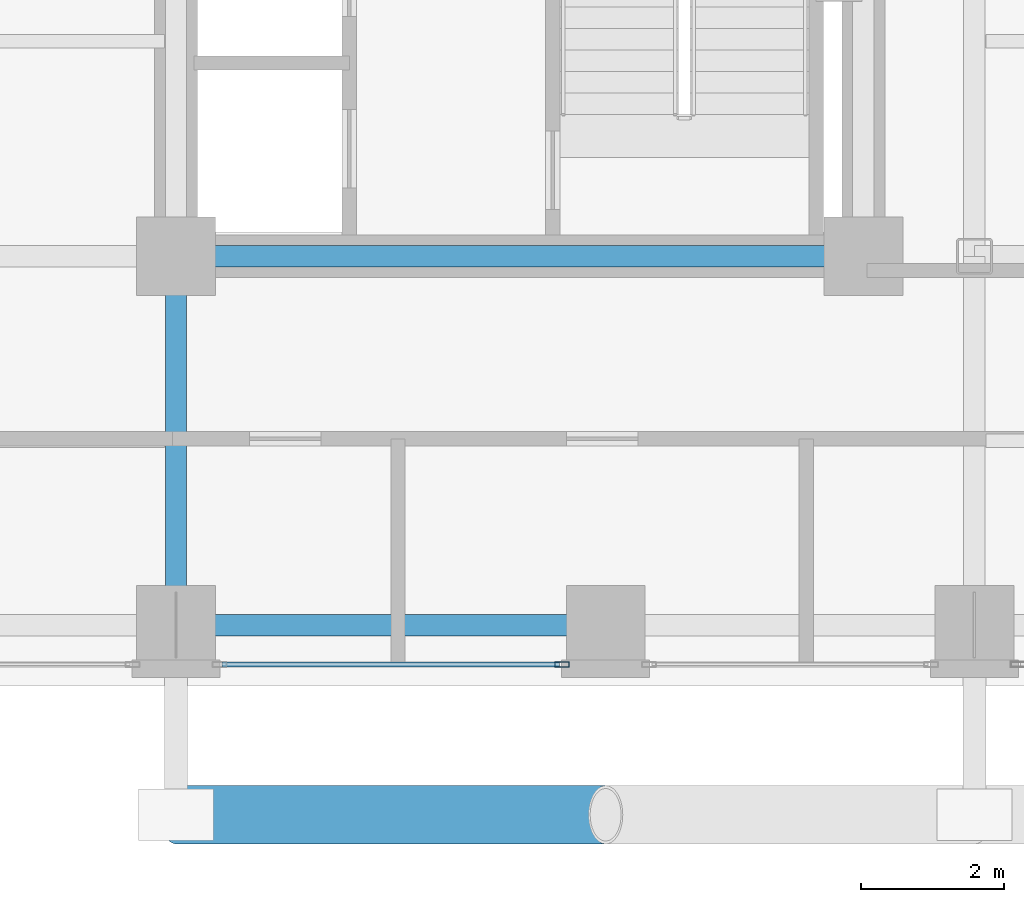
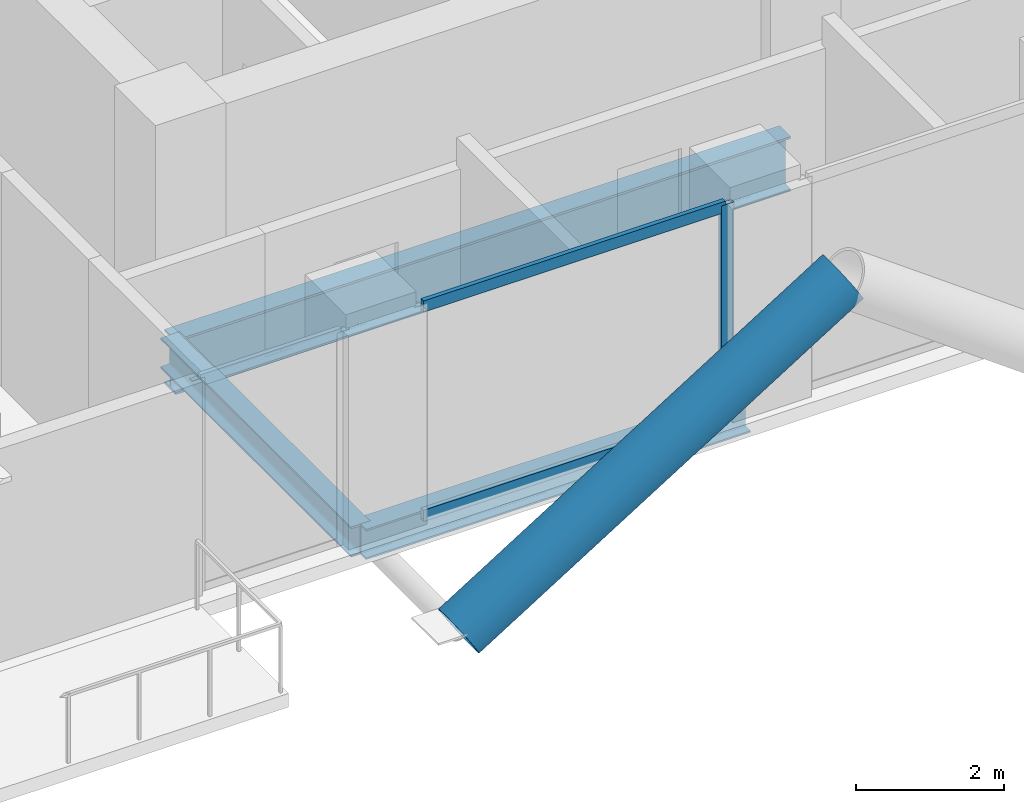
# One storey, part 4 of 24: 4 members, 3 beams, 1 element without a shape of its own.
"""IFC4 building model written with IfcOpenShell, lengths in metres."""

from ifc_helpers import new_model, si_unit, direction, frame, origin, origin_2d, place, context, subcontext, project, spatial, hollow_rectangle, hollow_circle, i_section, extrude, material, layer, layer_set, material_profile, profile_set, type_object, element, aggregate, save


model = new_model("IFC4")

# Units and contexts
model_context = context("Model", 3, precision=1e-05, world=origin(), true_north=direction((0.0, 1.0)))
body_context = subcontext(model_context, "Body", "Model", "MODEL_VIEW")
ifc_project = project(units=[si_unit("LENGTHUNIT", "METRE"), si_unit("AREAUNIT", "SQUARE_METRE"), si_unit("VOLUMEUNIT", "CUBIC_METRE"), si_unit("PLANEANGLEUNIT", "RADIAN"), si_unit("MASSUNIT", "GRAM", prefix="KILO"), si_unit("THERMODYNAMICTEMPERATUREUNIT", "KELVIN"), si_unit("POWERUNIT", "WATT")], contexts=[model_context])

# Site, building, storey
site_placement = place(None, origin())
site = spatial("IfcSite", under=ifc_project, at=site_placement, CompositionType="ELEMENT")
building_placement = place(site_placement, origin())
building = spatial("IfcBuilding", under=site, at=building_placement, Name="Svarakhadi Broadcast Tower", CompositionType="ELEMENT")
storey_placement = place(building_placement, frame((0.0, 0.0, 115.64990234375)))
storey = spatial("IfcBuildingStorey", under=building, at=storey_placement, Name="L27", CompositionType="ELEMENT", Elevation=115.64990234375)

# Curtain wall, members
ifc_material_1 = material(Name="Anodised Bronze Aluminium AA 6063-T6", Category="aluminium")
ifc_layer = layer(ifc_material_1, 0.199951171875)
ifc_layer_set = layer_set([ifc_layer], Name="Anodised Bronze Aluminium AA 6063-T6")
curtain_wall_type = type_object("IfcCurtainWallType", Name="CW_Sys_03", PredefinedType="NOTDEFINED", material=ifc_layer_set)
curtain_wall_placement = place(storey_placement, origin())
curtain_wall = element("IfcCurtainWall", 1, at=curtain_wall_placement, inside=storey, type_object=curtain_wall_type, Name="L27 South Curtain Wall 16 Bay 3", PredefinedType="NOTDEFINED")
ifc_material_profile_1 = material_profile(ifc_material_1, hollow_rectangle(XDim=0.074951171875, YDim=0.199951171875, WallThickness=0.005615234375, at=origin_2d()), Name="ALU MULLION 200x75x6")
ifc_profile_set_1 = profile_set([ifc_material_profile_1], Name="Anodised Bronze Aluminium AA 6063-T6")
member_type_1 = type_object("IfcMemberType", Name="CW_Sys_03_Mul", PredefinedType="MULLION", material=ifc_profile_set_1)
member_1_placement = place(storey_placement, frame((29.392578125, 0.300048828125, 0.0), z_axis=(0.0, 0.0, 1.0), x_axis=(0.0, -1.0, 0.0)))
member_1 = element("IfcMember", 2, at=member_1_placement, type_object=member_type_1, Name="CW-03 mullion 1", PredefinedType="MULLION", context=body_context, shape_type="SweptSolid", body=[
    extrude(hollow_rectangle(XDim=0.074951171875, YDim=0.199951171875, WallThickness=0.005615234375, at=origin_2d()), origin(), (0.0, 0.0, 1.0), 3.525146484375),
])
ifc_material_profile_2 = material_profile(ifc_material_1, hollow_rectangle(XDim=0.070068359375, YDim=0.18505859375, WallThickness=0.0048828125, at=origin_2d()), Name="ALU TRANSOM 185x70x5")
ifc_profile_set_2 = profile_set([ifc_material_profile_2], Name="Anodised Bronze Aluminium AA 6063-T6")
member_type_2 = type_object("IfcMemberType", Name="CW_Sys_03_Trn", PredefinedType="USERDEFINED", material=ifc_profile_set_2)
member_2_placement = place(storey_placement, frame((29.35498046875, 0.300048828125, 0.03515625), z_axis=(-1.0, 0.0, 0.0), x_axis=(0.0, -1.0, 0.0)))
member_2 = element("IfcMember", 3, at=member_2_placement, type_object=member_type_2, Name="CW-03 transom 1.1", ObjectType="TRANSOM", PredefinedType="USERDEFINED", context=body_context, shape_type="SweptSolid", body=[
    extrude(hollow_rectangle(XDim=0.070068359375, YDim=0.18505859375, WallThickness=0.0048828125, at=origin_2d()), origin(), (0.0, 0.0, 1.0), 4.7099609375),
])
member_3_placement = place(storey_placement, frame((29.35498046875, 0.300048828125, 3.489990234375), z_axis=(-1.0, 0.0, 0.0), x_axis=(0.0, -1.0, 0.0)))
member_3 = element("IfcMember", 4, at=member_3_placement, type_object=member_type_2, Name="CW-03 transom 1.2", ObjectType="TRANSOM", PredefinedType="USERDEFINED", context=body_context, shape_type="SweptSolid", body=[
    extrude(hollow_rectangle(XDim=0.070068359375, YDim=0.18505859375, WallThickness=0.0048828125, at=origin_2d()), origin(), (0.0, 0.0, 1.0), 4.7099609375),
])
aggregate(curtain_wall, [member_1, member_2, member_3])

# Member
ifc_material_2 = material(Name="Steel S460ML (IS 2062 E450BR)", Category="steel")
ifc_material_profile_3 = material_profile(ifc_material_2, hollow_circle(Radius=0.406494140625, WallThickness=0.0400390625, at=origin_2d()), Name="CHS 813x40")
ifc_profile_set_3 = profile_set([ifc_material_profile_3], Name="Steel S460ML (IS 2062 E450BR)")
member_type_3 = type_object("IfcMemberType", Name="Exo_Brace_CHS813", PredefinedType="BRACE", material=ifc_profile_set_3)
member_4_placement = place(storey_placement, frame((24.0, -1.800048828125, -0.386962890625), z_axis=(0.847998304005, 0.0, 0.529998940003), x_axis=(0.0, 1.0, 0.0)))
element("IfcMember", 5, at=member_4_placement, inside=storey, type_object=member_type_3, Name="L27 Exposed Bronze Exoskeleton Diagonal S01", PredefinedType="BRACE", context=body_context, shape_type="SweptSolid", body=[
    extrude(hollow_circle(Radius=0.406494140625, WallThickness=0.0400390625, at=origin_2d()), origin(), (0.0, 0.0, 1.0), 7.075439453125),
])

# Beams
ifc_material_3 = material(Name="Steel S355J2 (IS 2062 E350C)", Category="steel")
ifc_material_profile_4 = material_profile(ifc_material_3, i_section(OverallWidth=0.300048828125, OverallDepth=0.5, WebThickness=0.014404296875, FlangeThickness=0.028076171875, FilletRadius=0.027099609375, at=origin_2d()), Name="WPB 500x300x187")
ifc_profile_set_4 = profile_set([ifc_material_profile_4], Name="Steel S355J2 (IS 2062 E350C)")
beam_type_1 = type_object("IfcBeamType", Name="Girder_WPB500", PredefinedType="USERDEFINED", material=ifc_profile_set_4)
beam_1_placement = place(storey_placement, frame((24.0, 0.85009765625, -0.474853515625), z_axis=(1.0, 0.0, 0.0), x_axis=(0.0, 1.0, 0.0)))
element("IfcBeam", 6, at=beam_1_placement, inside=storey, type_object=beam_type_1, Name="L27 Primary E-W Girder G007", ObjectType="GIRDER", PredefinedType="USERDEFINED", context=body_context, shape_type="SweptSolid", body=[
    extrude(i_section(OverallWidth=0.300048828125, OverallDepth=0.5, WebThickness=0.014404296875, FlangeThickness=0.028076171875, FilletRadius=0.027099609375, at=origin_2d()), origin(), (0.0, 0.0, 1.0), 6.0),
])
beam_2_placement = place(storey_placement, frame((24.0, 0.85009765625, -0.474853515625), z_axis=(0.0, 1.0, 0.0), x_axis=(-1.0, 0.0, 0.0)))
element("IfcBeam", 7, at=beam_2_placement, inside=storey, type_object=beam_type_1, Name="L27 Primary N-S Girder G062", ObjectType="GIRDER", PredefinedType="USERDEFINED", context=body_context, shape_type="SweptSolid", body=[
    extrude(i_section(OverallWidth=0.300048828125, OverallDepth=0.5, WebThickness=0.014404296875, FlangeThickness=0.028076171875, FilletRadius=0.027099609375, at=origin_2d()), origin(), (0.0, 0.0, 1.0), 5.14990234375),
])
ifc_material_profile_5 = material_profile(ifc_material_2, i_section(OverallWidth=0.300048828125, OverallDepth=0.89990234375, WebThickness=0.0185546875, FlangeThickness=0.034912109375, FilletRadius=0.030029296875, at=origin_2d()), Name="WPB 900x300x291")
ifc_profile_set_5 = profile_set([ifc_material_profile_5], Name="Steel S460ML (IS 2062 E450BR)")
beam_type_2 = type_object("IfcBeamType", Name="Girder_WPB900", PredefinedType="USERDEFINED", material=ifc_profile_set_5)
beam_3_placement = place(storey_placement, frame((24.0, 6.0, -0.6748046875), z_axis=(1.0, 0.0, 0.0), x_axis=(0.0, 1.0, 0.0)))
element("IfcBeam", 8, at=beam_3_placement, inside=storey, type_object=beam_type_2, Name="L27 Primary E-W Girder G014", ObjectType="GIRDER", PredefinedType="USERDEFINED", context=body_context, shape_type="SweptSolid", body=[
    extrude(i_section(OverallWidth=0.300048828125, OverallDepth=0.89990234375, WebThickness=0.0185546875, FlangeThickness=0.034912109375, FilletRadius=0.030029296875, at=origin_2d()), origin(), (0.0, 0.0, 1.0), 9.60009765625),
])

save(model, "model.ifc")
